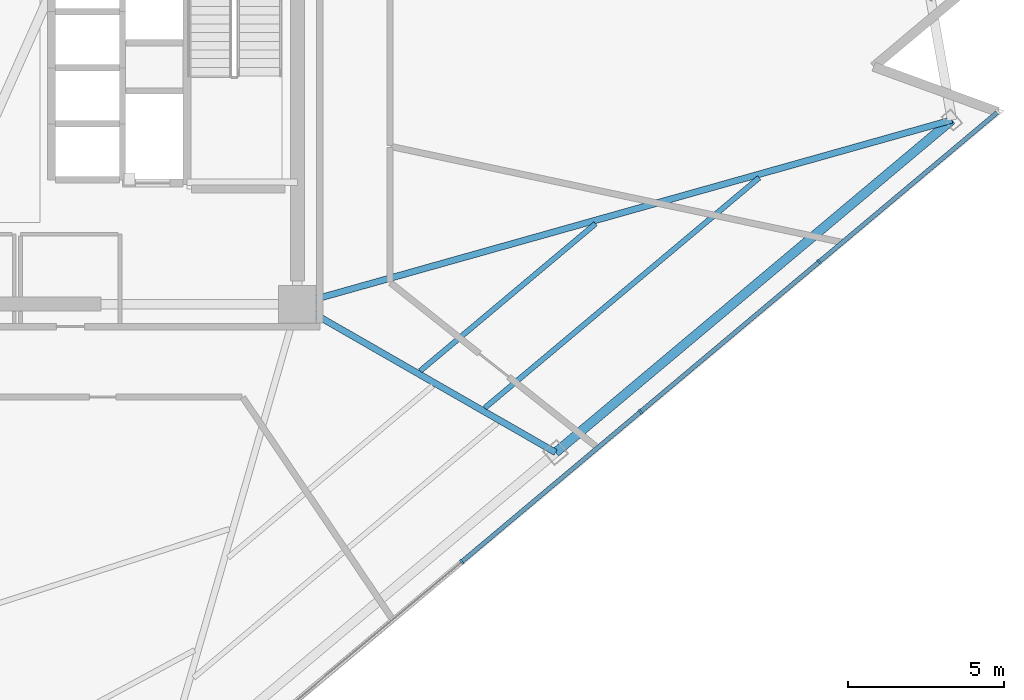
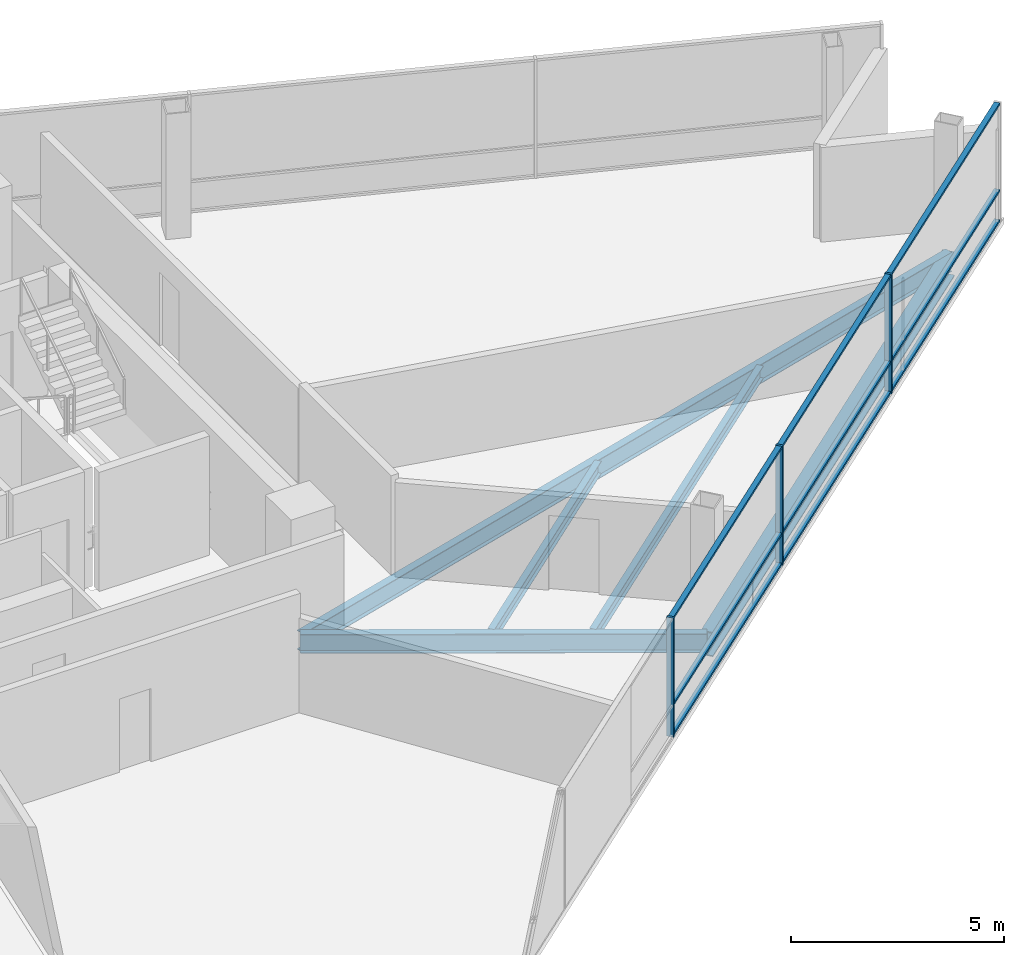
# One storey, part 4 of 16: 12 members, 5 beams, 1 element without a shape of its own.
"""IFC4 building model written with IfcOpenShell, lengths in metres."""

from ifc_helpers import new_model, si_unit, direction, frame, origin, origin_2d, place, context, subcontext, project, spatial, rectangle, i_section, extrude, material, layer, layer_set, material_profile, profile_set, type_object, element, aggregate, save


model = new_model("IFC4")

# Units and contexts
model_context = context("Model", 3, precision=1e-05, world=origin(), true_north=direction((0.0, 1.0)))
body_context = subcontext(model_context, "Body", "Model", "MODEL_VIEW")
ifc_project = project(units=[si_unit("LENGTHUNIT", "METRE"), si_unit("AREAUNIT", "SQUARE_METRE"), si_unit("VOLUMEUNIT", "CUBIC_METRE"), si_unit("PLANEANGLEUNIT", "RADIAN"), si_unit("MASSUNIT", "GRAM", prefix="KILO")], contexts=[model_context])

# Site, building, storey
site_placement = place(None, origin())
site = spatial("IfcSite", under=ifc_project, at=site_placement, CompositionType="ELEMENT")
building_placement = place(site_placement, origin())
building = spatial("IfcBuilding", under=site, at=building_placement, Name="Tharavind Bronze Gate", CompositionType="ELEMENT")
storey_placement = place(building_placement, frame((0.0, 0.0, 181.300048828125)))
storey = spatial("IfcBuildingStorey", under=building, at=storey_placement, Name="L46", CompositionType="ELEMENT", Elevation=181.300048828125)

# Curtain wall, members
ifc_material_1 = material(Name="Anodised Bronze Aluminium", Category="aluminium")
ifc_layer = layer(ifc_material_1, 0.219970703125)
ifc_layer_set = layer_set([ifc_layer], Name="Anodised Bronze Aluminium")
curtain_wall_type = type_object("IfcCurtainWallType", Name="UNITISED CURTAIN WALL MID OFFICE", PredefinedType="USERDEFINED", material=ifc_layer_set)
curtain_wall_placement = place(storey_placement, origin())
curtain_wall = element("IfcCurtainWall", 1, at=curtain_wall_placement, inside=storey, type_object=curtain_wall_type, Name="L46 unitised curtain wall mid office CW-L46-S2", ObjectType="UNITISED CURTAIN WALL", PredefinedType="USERDEFINED")
member_type_1 = type_object("IfcMemberType", Name="CURTAIN WALL BRONZE MULLION 65X180", PredefinedType="MULLION", material=ifc_material_1)
member_1_placement = place(storey_placement, frame((14.18408203125, -15.873291015625, 0.0), z_axis=(0.0, 0.0, 1.0), x_axis=(0.766043321242, 0.642788946685, 0.0)))
member_1 = element("IfcMember", 2, at=member_1_placement, type_object=member_type_1, Name="CW-L46-S2 mullion 5", PredefinedType="MULLION", context=body_context, shape_type="SweptSolid", body=[
    extrude(rectangle(XDim=0.06494140625, YDim=0.179931640625, at=origin_2d()), origin(), (0.0, 0.0, 1.0), 3.419921875),
])
member_2_placement = place(storey_placement, frame((19.926513671875, -11.0546875, 0.0), z_axis=(0.0, 0.0, 1.0), x_axis=(0.766043321242, 0.642788946685, 0.0)))
member_2 = element("IfcMember", 3, at=member_2_placement, type_object=member_type_1, Name="CW-L46-S2 mullion 6", PredefinedType="MULLION", context=body_context, shape_type="SweptSolid", body=[
    extrude(rectangle(XDim=0.06494140625, YDim=0.179931640625, at=origin_2d()), origin(), (0.0, 0.0, 1.0), 3.419921875),
])
member_3_placement = place(storey_placement, frame((25.668701171875, -6.236572265625, 0.0), z_axis=(0.0, 0.0, 1.0), x_axis=(0.766043321242, 0.642788946685, 0.0)))
member_3 = element("IfcMember", 4, at=member_3_placement, type_object=member_type_1, Name="CW-L46-S2 mullion 7", PredefinedType="MULLION", context=body_context, shape_type="SweptSolid", body=[
    extrude(rectangle(XDim=0.06494140625, YDim=0.179931640625, at=origin_2d()), origin(), (0.0, 0.0, 1.0), 3.419921875),
])
member_type_2 = type_object("IfcMemberType", Name="CURTAIN WALL BRONZE TRANSOM 65X140", PredefinedType="USERDEFINED", material=ifc_material_1)
member_4_placement = place(storey_placement, frame((17.055419921875, -13.464111328125, 0.0), z_axis=(0.0, 0.0, 1.0), x_axis=(0.766043321242, 0.642788946685, 0.0)))
member_4 = element("IfcMember", 5, at=member_4_placement, type_object=member_type_2, Name="CW-L46-S2 transom TB5", ObjectType="TRANSOM", PredefinedType="USERDEFINED", context=body_context, shape_type="SweptSolid", body=[
    extrude(rectangle(XDim=7.443115234375, YDim=0.139892578125, at=origin_2d()), origin(), (0.0, 0.0, 1.0), 0.06494140625),
])
member_5_placement = place(storey_placement, frame((17.055419921875, -13.464111328125, 0.867431640625), z_axis=(0.0, 0.0, 1.0), x_axis=(0.766043321242, 0.642788946685, 0.0)))
member_5 = element("IfcMember", 6, at=member_5_placement, type_object=member_type_2, Name="CW-L46-S2 transom TS5", ObjectType="TRANSOM", PredefinedType="USERDEFINED", context=body_context, shape_type="SweptSolid", body=[
    extrude(rectangle(XDim=7.443115234375, YDim=0.139892578125, at=origin_2d()), origin(), (0.0, 0.0, 1.0), 0.06494140625),
])
member_6_placement = place(storey_placement, frame((17.055419921875, -13.464111328125, 3.35498046875), z_axis=(0.0, 0.0, 1.0), x_axis=(0.766043321242, 0.642788946685, 0.0)))
member_6 = element("IfcMember", 7, at=member_6_placement, type_object=member_type_2, Name="CW-L46-S2 transom TT5", ObjectType="TRANSOM", PredefinedType="USERDEFINED", context=body_context, shape_type="SweptSolid", body=[
    extrude(rectangle(XDim=7.443115234375, YDim=0.139892578125, at=origin_2d()), origin(), (0.0, 0.0, 1.0), 0.06494140625),
])
member_7_placement = place(storey_placement, frame((22.797607421875, -8.645751953125, 0.0), z_axis=(0.0, 0.0, 1.0), x_axis=(0.766043321242, 0.642788946685, 0.0)))
member_7 = element("IfcMember", 8, at=member_7_placement, type_object=member_type_2, Name="CW-L46-S2 transom TB6", ObjectType="TRANSOM", PredefinedType="USERDEFINED", context=body_context, shape_type="SweptSolid", body=[
    extrude(rectangle(XDim=7.443115234375, YDim=0.139892578125, at=origin_2d()), origin(), (0.0, 0.0, 1.0), 0.06494140625),
])
member_8_placement = place(storey_placement, frame((22.797607421875, -8.645751953125, 0.867431640625), z_axis=(0.0, 0.0, 1.0), x_axis=(0.766043321242, 0.642788946685, 0.0)))
member_8 = element("IfcMember", 9, at=member_8_placement, type_object=member_type_2, Name="CW-L46-S2 transom TS6", ObjectType="TRANSOM", PredefinedType="USERDEFINED", context=body_context, shape_type="SweptSolid", body=[
    extrude(rectangle(XDim=7.443115234375, YDim=0.139892578125, at=origin_2d()), origin(), (0.0, 0.0, 1.0), 0.06494140625),
])
member_9_placement = place(storey_placement, frame((22.797607421875, -8.645751953125, 3.35498046875), z_axis=(0.0, 0.0, 1.0), x_axis=(0.766043321242, 0.642788946685, 0.0)))
member_9 = element("IfcMember", 10, at=member_9_placement, type_object=member_type_2, Name="CW-L46-S2 transom TT6", ObjectType="TRANSOM", PredefinedType="USERDEFINED", context=body_context, shape_type="SweptSolid", body=[
    extrude(rectangle(XDim=7.443115234375, YDim=0.139892578125, at=origin_2d()), origin(), (0.0, 0.0, 1.0), 0.06494140625),
])
member_10_placement = place(storey_placement, frame((28.539794921875, -3.827392578125, 0.0), z_axis=(0.0, 0.0, 1.0), x_axis=(0.766043321242, 0.642788946685, 0.0)))
member_10 = element("IfcMember", 11, at=member_10_placement, type_object=member_type_2, Name="CW-L46-S2 transom TB7", ObjectType="TRANSOM", PredefinedType="USERDEFINED", context=body_context, shape_type="SweptSolid", body=[
    extrude(rectangle(XDim=7.443115234375, YDim=0.139892578125, at=origin_2d()), origin(), (0.0, 0.0, 1.0), 0.06494140625),
])
member_11_placement = place(storey_placement, frame((28.539794921875, -3.827392578125, 0.867431640625), z_axis=(0.0, 0.0, 1.0), x_axis=(0.766043321242, 0.642788946685, 0.0)))
member_11 = element("IfcMember", 12, at=member_11_placement, type_object=member_type_2, Name="CW-L46-S2 transom TS7", ObjectType="TRANSOM", PredefinedType="USERDEFINED", context=body_context, shape_type="SweptSolid", body=[
    extrude(rectangle(XDim=7.443115234375, YDim=0.139892578125, at=origin_2d()), origin(), (0.0, 0.0, 1.0), 0.06494140625),
])
member_12_placement = place(storey_placement, frame((28.539794921875, -3.827392578125, 3.35498046875), z_axis=(0.0, 0.0, 1.0), x_axis=(0.766043321242, 0.642788946685, 0.0)))
member_12 = element("IfcMember", 13, at=member_12_placement, type_object=member_type_2, Name="CW-L46-S2 transom TT7", ObjectType="TRANSOM", PredefinedType="USERDEFINED", context=body_context, shape_type="SweptSolid", body=[
    extrude(rectangle(XDim=7.443115234375, YDim=0.139892578125, at=origin_2d()), origin(), (0.0, 0.0, 1.0), 0.06494140625),
])
aggregate(curtain_wall, [member_1, member_2, member_3, member_4, member_5, member_6, member_7, member_8, member_9, member_10, member_11, member_12])

# Beams
ifc_material_2 = material(Name="Steel S355", Category="steel")
ifc_material_profile_1 = material_profile(ifc_material_2, i_section(OverallWidth=0.2099609375, OverallDepth=0.550048828125, WebThickness=0.010986328125, FlangeThickness=0.01708984375, at=origin_2d()), Name="IPE550")
ifc_profile_set_1 = profile_set([ifc_material_profile_1], Name="Steel S355")
beam_type_1 = type_object("IfcBeamType", Name="PRIMARY GIRDER IPE550", PredefinedType="USERDEFINED", material=ifc_profile_set_1)
beam_1_placement = place(storey_placement, frame((17.198486328125, -12.36474609375, -0.455078125), z_axis=(-0.867223923142, 0.497918333796, 0.0), x_axis=(-0.497918333796, -0.867223923142, 0.0)))
element("IfcBeam", 14, at=beam_1_placement, inside=storey, type_object=beam_type_1, Name="L46 primary girder ipe550 BM-L46-RAD07", ObjectType="GIRDER", PredefinedType="USERDEFINED", context=body_context, shape_type="SweptSolid", body=[
    extrude(i_section(OverallWidth=0.2099609375, OverallDepth=0.550048828125, WebThickness=0.010986328125, FlangeThickness=0.01708984375, at=origin_2d()), origin(), (0.0, 0.0, 1.0), 9.569091796875),
])
beam_2_placement = place(storey_placement, frame((29.933837890625, -1.6787109375, -0.455078125), z_axis=(-0.962584208387, -0.270982733332, 0.0), x_axis=(0.270982733332, -0.962584208387, 0.0)))
element("IfcBeam", 15, at=beam_2_placement, inside=storey, type_object=beam_type_1, Name="L46 primary girder ipe550 BM-L46-RAD08", ObjectType="GIRDER", PredefinedType="USERDEFINED", context=body_context, shape_type="SweptSolid", body=[
    extrude(i_section(OverallWidth=0.2099609375, OverallDepth=0.550048828125, WebThickness=0.010986328125, FlangeThickness=0.01708984375, at=origin_2d()), origin(), (0.0, 0.0, 1.0), 21.8515625),
])
ifc_material_profile_2 = material_profile(ifc_material_2, i_section(OverallWidth=0.300048828125, OverallDepth=0.699951171875, WebThickness=0.01708984375, FlangeThickness=0.031982421875, at=origin_2d()), Name="HE700B")
ifc_profile_set_2 = profile_set([ifc_material_profile_2], Name="Steel S355")
beam_type_2 = type_object("IfcBeamType", Name="RING GIRDER HE700B", PredefinedType="USERDEFINED", material=ifc_profile_set_2)
beam_3_placement = place(storey_placement, frame((17.198486328125, -12.36474609375, -0.530029296875), z_axis=(0.766050178558, 0.642780774394, 0.0), x_axis=(-0.642780774394, 0.766050178558, 0.0)))
element("IfcBeam", 16, at=beam_3_placement, inside=storey, type_object=beam_type_2, Name="L46 ring girder he700b BM-L46-PRG07", ObjectType="GIRDER", PredefinedType="USERDEFINED", context=body_context, shape_type="SweptSolid", body=[
    extrude(i_section(OverallWidth=0.300048828125, OverallDepth=0.699951171875, WebThickness=0.01708984375, FlangeThickness=0.031982421875, at=origin_2d()), origin(), (0.0, 0.0, 1.0), 16.624755859375),
])
ifc_material_profile_3 = material_profile(ifc_material_2, i_section(OverallWidth=0.169921875, OverallDepth=0.360107421875, WebThickness=0.008056640625, FlangeThickness=0.0126953125, at=origin_2d()), Name="IPE360")
ifc_profile_set_3 = profile_set([ifc_material_profile_3], Name="Steel S355")
beam_type_3 = type_object("IfcBeamType", Name="SECONDARY FLOOR JOIST IPE360", PredefinedType="JOIST", material=ifc_profile_set_3)
beam_4_placement = place(storey_placement, frame((12.84765625, -9.7412109375, -0.360107421875), z_axis=(0.76602387, 0.642812126979, 0.0), x_axis=(-0.642812126979, 0.76602387, 0.0)))
element("IfcBeam", 17, at=beam_4_placement, inside=storey, type_object=beam_type_3, Name="L46 secondary floor joist ipe360 BM-L46-JSTA07", PredefinedType="JOIST", context=body_context, shape_type="SweptSolid", body=[
    extrude(i_section(OverallWidth=0.169921875, OverallDepth=0.360107421875, WebThickness=0.008056640625, FlangeThickness=0.0126953125, at=origin_2d()), origin(), (0.0, 0.0, 1.0), 7.355224609375),
])
beam_5_placement = place(storey_placement, frame((14.922119140625, -10.932373046875, -0.360107421875), z_axis=(0.766047353374, 0.642784141364, 0.0), x_axis=(-0.642784141364, 0.766047353374, 0.0)))
element("IfcBeam", 18, at=beam_5_placement, inside=storey, type_object=beam_type_3, Name="L46 secondary floor joist ipe360 BM-L46-JSTB07", PredefinedType="JOIST", context=body_context, shape_type="SweptSolid", body=[
    extrude(i_section(OverallWidth=0.169921875, OverallDepth=0.360107421875, WebThickness=0.008056640625, FlangeThickness=0.0126953125, at=origin_2d()), origin(), (0.0, 0.0, 1.0), 11.511474609375),
])

save(model, "model.ifc")
